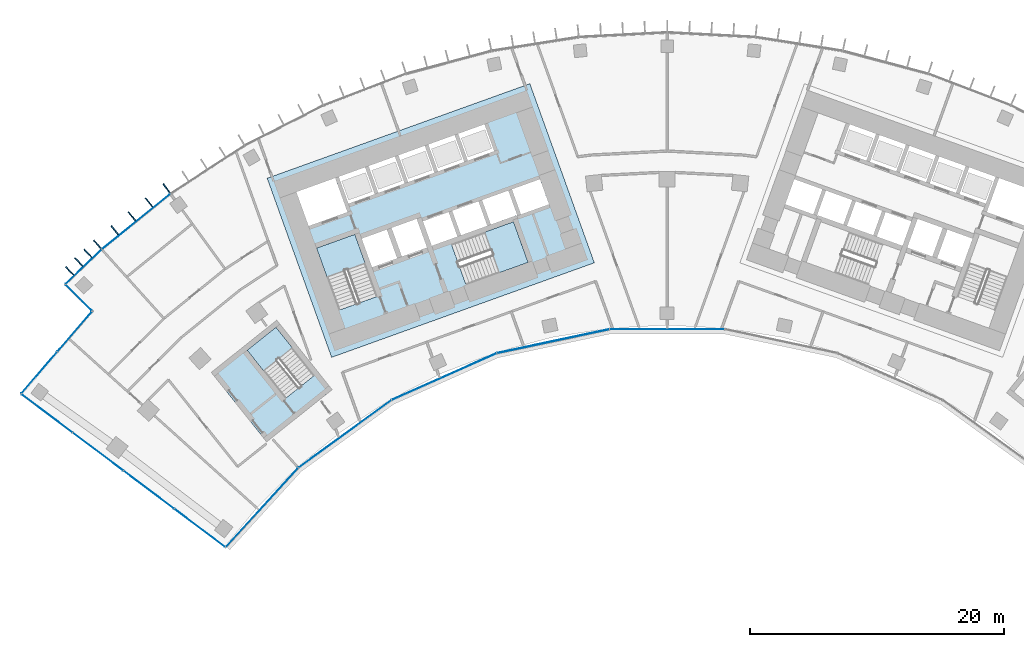
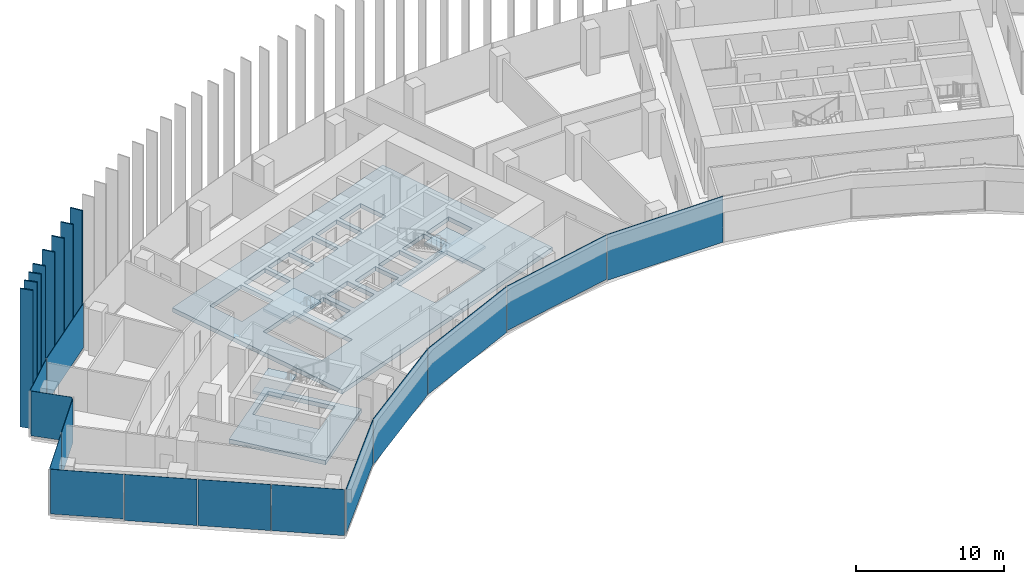
# One storey, part 12 of 23: 22 plates, 5 slabs, 8 elements without a shape of their own.
"""IFC4 building model written with IfcOpenShell, lengths in metres."""

from ifc_helpers import new_model, si_unit, direction, frame, origin, origin_2d, place, context, subcontext, project, spatial, polyline, rectangle, outline, extrude, material, layer, layer_set, type_object, element, aggregate, save


model = new_model("IFC4")

# Units and contexts
model_context = context("Model", 3, precision=1e-05, world=origin(), true_north=direction((0.0, 1.0)))
body_context = subcontext(model_context, "Body", "Model", "MODEL_VIEW")
ifc_project = project(units=[si_unit("LENGTHUNIT", "METRE"), si_unit("AREAUNIT", "SQUARE_METRE"), si_unit("VOLUMEUNIT", "CUBIC_METRE"), si_unit("PLANEANGLEUNIT", "RADIAN"), si_unit("MASSUNIT", "GRAM", prefix="KILO")], contexts=[model_context])

# Site, building, storey
site_placement = place(None, origin())
site = spatial("IfcSite", under=ifc_project, at=site_placement, CompositionType="ELEMENT")
building_placement = place(site_placement, origin())
building = spatial("IfcBuilding", under=site, at=building_placement, Name="Stone Belt Terrace Tower", CompositionType="ELEMENT")
storey_placement = place(building_placement, frame((0.0, 0.0, 144.0)))
storey = spatial("IfcBuildingStorey", under=building, at=storey_placement, Name="L34", CompositionType="ELEMENT", Elevation=144.0)

# Curtain wall, plates
ifc_material_1 = material(Name="Aluminium 6063-T6 anodised frame", Category="aluminium")
ifc_layer_1 = layer(ifc_material_1, 0.14990234375)
ifc_layer_set_1 = layer_set([ifc_layer_1], Name="CW-A unitised convex-face curtain wall")
curtain_wall_type_1 = type_object("IfcCurtainWallType", Name="CW-A unitised convex-face curtain wall", PredefinedType="NOTDEFINED", material=ifc_layer_set_1)
curtain_wall_1_placement = place(storey_placement, origin())
curtain_wall_1 = element("IfcCurtainWall", 1, at=curtain_wall_1_placement, inside=storey, type_object=curtain_wall_type_1, Name="CW-A convex face L34", PredefinedType="NOTDEFINED")
ifc_material_2 = material(Name="Clear double glazed unit")
ifc_layer_2 = layer(ifc_material_2, 0.031982421875)
ifc_layer_set_2 = layer_set([ifc_layer_2], Name="CW-A glass panel 32")
plate_type_1 = type_object("IfcPlateType", Name="CW-A glass panel 32", PredefinedType="CURTAIN_PANEL", material=ifc_layer_set_2)
plate_1_placement = place(storey_placement, frame((-41.839599609375, 51.667724609375, 0.14013671875), z_axis=(0.0, 0.0, 1.0), x_axis=(-0.777145961457, -0.62932039105, 0.0)))
plate_1 = element("IfcPlate", 2, at=plate_1_placement, type_object=plate_type_1, Name="CW-A panel 15.1", PredefinedType="CURTAIN_PANEL", context=body_context, shape_type="SweptSolid", body=[
    extrude(rectangle(XDim=6.900634765625, YDim=0.031982421875, at=origin_2d()), origin(), (0.0, 0.0, 1.0), 3.659912109375),
])
plate_2_placement = place(storey_placement, frame((-45.9765625, 48.109619140625, 0.14013671875), z_axis=(0.0, 0.0, 1.0), x_axis=(-0.723120883539, -0.690721497993, 0.0)))
plate_2 = element("IfcPlate", 3, at=plate_2_placement, type_object=plate_type_1, Name="CW-A panel 16.1", PredefinedType="CURTAIN_PANEL", context=body_context, shape_type="SweptSolid", body=[
    extrude(rectangle(XDim=3.888671875, YDim=0.031982421875, at=origin_2d()), origin(), (0.0, 0.0, 1.0), 3.659912109375),
])
aggregate(curtain_wall_1, [plate_1, plate_2])

ifc_layer_3 = layer(ifc_material_1, 0.14990234375)
ifc_layer_set_3 = layer_set([ifc_layer_3], Name="CW-B unitised concave-face curtain wall")
curtain_wall_type_2 = type_object("IfcCurtainWallType", Name="CW-B unitised concave-face curtain wall", PredefinedType="NOTDEFINED", material=ifc_layer_set_3)
curtain_wall_2_placement = place(storey_placement, origin())
curtain_wall_2 = element("IfcCurtainWall", 4, at=curtain_wall_2_placement, inside=storey, type_object=curtain_wall_type_2, Name="CW-B concave face L34", PredefinedType="NOTDEFINED")
ifc_layer_4 = layer(ifc_material_2, 0.030029296875)
ifc_layer_set_4 = layer_set([ifc_layer_4], Name="CW-B glass panel 30")
plate_type_2 = type_object("IfcPlateType", Name="CW-B glass panel 30", PredefinedType="CURTAIN_PANEL", material=ifc_layer_set_4)
plate_3_placement = place(storey_placement, frame((-31.9111328125, 29.148681640625, 0.1201171875), z_axis=(0.0, 0.0, 1.0), x_axis=(0.674760998748, 0.73803630979, 0.0)))
plate_3 = element("IfcPlate", 5, at=plate_3_placement, type_object=plate_type_2, Name="CW-B panel 1.1", PredefinedType="CURTAIN_PANEL", context=body_context, shape_type="SweptSolid", body=[
    extrude(rectangle(XDim=8.39501953125, YDim=0.030029296875, at=origin_2d()), origin(), (0.0, 0.0, 1.0), 3.679931640625),
])
plate_4_placement = place(storey_placement, frame((-25.384765625, 34.938720703125, 0.0), z_axis=(0.0, 0.0, 1.0), x_axis=(0.809016994375, 0.587785252292, 0.0)))
plate_4 = element("IfcPlate", 6, at=plate_4_placement, type_object=plate_type_2, Name="CW-B panel 2.1", PredefinedType="CURTAIN_PANEL", context=body_context, shape_type="SweptSolid", body=[
    extrude(rectangle(XDim=9.013427734375, YDim=0.030029296875, at=origin_2d()), origin(), (0.0, 0.0, 1.0), 3.800048828125),
])
plate_5_placement = place(storey_placement, frame((-17.565673828125, 39.453125, 0.0), z_axis=(0.0, 0.0, 1.0), x_axis=(0.913545457643, 0.406736643076, 0.0)))
plate_5 = element("IfcPlate", 7, at=plate_5_placement, type_object=plate_type_2, Name="CW-B panel 3.1", PredefinedType="CURTAIN_PANEL", context=body_context, shape_type="SweptSolid", body=[
    extrude(rectangle(XDim=9.0126953125, YDim=0.030029296875, at=origin_2d()), origin(), (0.0, 0.0, 1.0), 3.800048828125),
])
plate_6_placement = place(storey_placement, frame((-8.97900390625, 42.242919921875, 0.1201171875), z_axis=(0.0, 0.0, 1.0), x_axis=(0.978147600734, 0.207911690818, 0.0)))
plate_6 = element("IfcPlate", 8, at=plate_6_placement, type_object=plate_type_2, Name="CW-B panel 4.1", PredefinedType="CURTAIN_PANEL", context=body_context, shape_type="SweptSolid", body=[
    extrude(rectangle(XDim=9.0126953125, YDim=0.030029296875, at=origin_2d()), origin(), (0.0, 0.0, 1.0), 3.679931640625),
])
plate_7_placement = place(storey_placement, frame((0.0, 43.186767578125, 0.0), z_axis=(0.0, 0.0, 1.0), x_axis=(1.0, 0.0, 0.0)))
plate_7 = element("IfcPlate", 9, at=plate_7_placement, type_object=plate_type_2, Name="CW-B panel 5.1", PredefinedType="CURTAIN_PANEL", context=body_context, shape_type="SweptSolid", body=[
    extrude(rectangle(XDim=9.0126953125, YDim=0.030029296875, at=origin_2d()), origin(), (0.0, 0.0, 1.0), 3.800048828125),
])
aggregate(curtain_wall_2, [plate_3, plate_4, plate_5, plate_6, plate_7])

# Curtain wall, plate
ifc_layer_5 = layer(ifc_material_1, 0.14990234375)
ifc_layer_set_5 = layer_set([ifc_layer_5], Name="CW-C stick curtain wall, horn ends and notches")
curtain_wall_type_3 = type_object("IfcCurtainWallType", Name="CW-C stick curtain wall, horn ends and notches", PredefinedType="NOTDEFINED", material=ifc_layer_set_5)
curtain_wall_3_placement = place(storey_placement, origin())
curtain_wall_3 = element("IfcCurtainWall", 10, at=curtain_wall_3_placement, inside=storey, type_object=curtain_wall_type_3, Name="CW-C notch face L34", PredefinedType="NOTDEFINED")
ifc_layer_6 = layer(ifc_material_2, 0.028076171875)
ifc_layer_set_6 = layer_set([ifc_layer_6], Name="CW-C glass panel 28")
plate_type_3 = type_object("IfcPlateType", Name="CW-C glass panel 28", PredefinedType="CURTAIN_PANEL", material=ifc_layer_set_6)
plate_8_placement = place(storey_placement, frame((-46.365966796875, 45.658447265625, 0.1201171875), z_axis=(0.0, 0.0, 1.0), x_axis=(0.711713447851, -0.702469905511, 0.0)))
plate_8 = element("IfcPlate", 11, at=plate_8_placement, type_object=plate_type_3, Name="CW-C panel 1.1", PredefinedType="CURTAIN_PANEL", context=body_context, shape_type="SweptSolid", body=[
    extrude(rectangle(XDim=2.859375, YDim=0.028076171875, at=origin_2d()), origin(), (0.0, 0.0, 1.0), 3.679931640625),
])
aggregate(curtain_wall_3, [plate_8])

# Curtain wall, plates
curtain_wall_4_placement = place(storey_placement, origin())
curtain_wall_4 = element("IfcCurtainWall", 12, at=curtain_wall_4_placement, inside=storey, type_object=curtain_wall_type_3, Name="CW-C notch face L34", PredefinedType="NOTDEFINED")
plate_9_placement = place(storey_placement, frame((-46.68896484375, 42.986572265625, 0.1201171875), z_axis=(0.0, 0.0, 1.0), x_axis=(-0.652737860281, -0.757583847343, 0.0)))
plate_9 = element("IfcPlate", 13, at=plate_9_placement, type_object=plate_type_3, Name="CW-C panel 1.1", PredefinedType="CURTAIN_PANEL", context=body_context, shape_type="SweptSolid", body=[
    extrude(rectangle(XDim=4.12060546875, YDim=0.028076171875, at=origin_2d()), origin(), (0.0, 0.0, 1.0), 3.679931640625),
])
plate_10_placement = place(storey_placement, frame((-49.466064453125, 39.76318359375, 0.0), z_axis=(0.0, 0.0, 1.0), x_axis=(-0.652737860281, -0.757583847343, 0.0)))
plate_10 = element("IfcPlate", 14, at=plate_10_placement, type_object=plate_type_3, Name="CW-C panel 2.1", PredefinedType="CURTAIN_PANEL", context=body_context, shape_type="SweptSolid", body=[
    extrude(rectangle(XDim=4.268798828125, YDim=0.028076171875, at=origin_2d()), origin(), (0.0, 0.0, 1.0), 3.800048828125),
])
aggregate(curtain_wall_4, [plate_9, plate_10])

curtain_wall_5_placement = place(storey_placement, origin())
curtain_wall_5 = element("IfcCurtainWall", 15, at=curtain_wall_5_placement, inside=storey, type_object=curtain_wall_type_3, Name="CW-C end face L34", PredefinedType="NOTDEFINED")
plate_11_placement = place(storey_placement, frame((-48.858154296875, 36.551513671875, 0.1201171875), z_axis=(0.0, 0.0, 1.0), x_axis=(0.799986505357, -0.600017992436, 0.0)))
plate_11 = element("IfcPlate", 16, at=plate_11_placement, type_object=plate_type_3, Name="CW-C panel 1.1", PredefinedType="CURTAIN_PANEL", context=body_context, shape_type="SweptSolid", body=[
    extrude(rectangle(XDim=4.974853515625, YDim=0.028076171875, at=origin_2d()), origin(), (0.0, 0.0, 1.0), 3.679931640625),
])
plate_12_placement = place(storey_placement, frame((-44.84423828125, 33.541015625, 0.0), z_axis=(0.0, 0.0, 1.0), x_axis=(0.799986505357, -0.600017992436, 0.0)))
plate_12 = element("IfcPlate", 17, at=plate_12_placement, type_object=plate_type_3, Name="CW-C panel 2.1", PredefinedType="CURTAIN_PANEL", context=body_context, shape_type="SweptSolid", body=[
    extrude(rectangle(XDim=4.93994140625, YDim=0.028076171875, at=origin_2d()), origin(), (0.0, 0.0, 1.0), 3.800048828125),
])
plate_13_placement = place(storey_placement, frame((-40.84423828125, 30.541015625, 0.0), z_axis=(0.0, 0.0, 1.0), x_axis=(0.799986505357, -0.600017992436, 0.0)))
plate_13 = element("IfcPlate", 18, at=plate_13_placement, type_object=plate_type_3, Name="CW-C panel 3.1", PredefinedType="CURTAIN_PANEL", context=body_context, shape_type="SweptSolid", body=[
    extrude(rectangle(XDim=4.93994140625, YDim=0.028076171875, at=origin_2d()), origin(), (0.0, 0.0, 1.0), 3.800048828125),
])
plate_14_placement = place(storey_placement, frame((-36.834228515625, 27.533203125, 0.0), z_axis=(0.0, 0.0, 1.0), x_axis=(0.799986505357, -0.600017992436, 0.0)))
plate_14 = element("IfcPlate", 19, at=plate_14_placement, type_object=plate_type_3, Name="CW-C panel 4.1", PredefinedType="CURTAIN_PANEL", context=body_context, shape_type="SweptSolid", body=[
    extrude(rectangle(XDim=4.96533203125, YDim=0.028076171875, at=origin_2d()), origin(), (0.0, 0.0, 1.0), 3.800048828125),
])
aggregate(curtain_wall_5, [plate_11, plate_12, plate_13, plate_14])

# Slabs
ifc_material_3 = material(Name="Concrete B40", Category="concrete")
ifc_layer_7 = layer(ifc_material_3, 0.35009765625)
ifc_layer_set_7 = layer_set([ifc_layer_7], Name="Core floor slab 350")
slab_type_1 = type_object("IfcSlabType", Name="Core floor slab 350", PredefinedType="FLOOR", material=ifc_layer_set_7)
slab_1_placement = place(storey_placement, frame((0.0, 0.0, -0.35009765625)))
element("IfcSlab", 20, at=slab_1_placement, inside=storey, type_object=slab_type_1, Name="Core A floor L34", PredefinedType="FLOOR", context=body_context, shape_type="SweptSolid", body=[
    extrude(outline(polyline([(-26.43505859375, 40.968994140625), (-5.735107421875, 48.4189453125), (-10.81396484375, 62.531982421875), (-31.513916015625, 55.0830078125), (-26.43505859375, 40.968994140625)]), holes=[polyline([(-24.60791015625, 50.659912109375), (-22.847900390625, 45.76806640625), (-25.85888671875, 44.68408203125), (-27.618896484375, 49.575927734375), (-24.60791015625, 50.659912109375)]), polyline([(-23.25, 48.06689453125), (-24.06298828125, 50.324951171875), (-22.0869140625, 51.035888671875), (-21.27392578125, 48.778076171875), (-23.25, 48.06689453125)]), polyline([(-20.89794921875, 48.9130859375), (-21.7109375, 51.1708984375), (-19.735107421875, 51.883056640625), (-18.922119140625, 49.6240234375), (-20.89794921875, 48.9130859375)]), polyline([(-29.2109375, 53.9990234375), (-26.153076171875, 55.09912109375), (-25.18798828125, 52.41796875), (-28.24609375, 51.31689453125), (-29.2109375, 53.9990234375)]), polyline([(-23.801025390625, 55.946044921875), (-23.0390625, 53.8291015625), (-25.10888671875, 53.083984375), (-25.87109375, 55.200927734375), (-23.801025390625, 55.946044921875)]), polyline([(-21.447998046875, 56.7919921875), (-20.68603515625, 54.675048828125), (-22.756103515625, 53.929931640625), (-23.51806640625, 56.047119140625), (-21.447998046875, 56.7919921875)]), polyline([(-19.095947265625, 57.638916015625), (-18.333984375, 55.52197265625), (-20.404052734375, 54.777099609375), (-21.166015625, 56.89404296875), (-19.095947265625, 57.638916015625)]), polyline([(-10.955078125, 48.452880859375), (-15.846923828125, 46.69189453125), (-16.998046875, 49.89208984375), (-12.10595703125, 51.652099609375), (-10.955078125, 48.452880859375)]), polyline([(-19.239990234375, 51.68896484375), (-17.217041015625, 52.4169921875), (-16.52294921875, 50.488037109375), (-18.5458984375, 49.760009765625), (-19.239990234375, 51.68896484375)]), polyline([(-16.239990234375, 50.589111328125), (-16.93408203125, 52.51806640625), (-14.864013671875, 53.262939453125), (-14.169921875, 51.333984375), (-16.239990234375, 50.589111328125)]), polyline([(-11.847900390625, 52.116943359375), (-11.864990234375, 52.1640625), (-13.887939453125, 51.43603515625), (-14.58203125, 53.364990234375), (-12.511962890625, 54.110107421875), (-11.801025390625, 52.134033203125), (-11.847900390625, 52.116943359375)]), polyline([(-9.30810546875, 53.031005859375), (-11.51904296875, 52.235107421875), (-12.22998046875, 54.2109375), (-10.01904296875, 55.007080078125), (-9.30810546875, 53.031005859375)]), polyline([(-16.743896484375, 58.485107421875), (-15.98193359375, 56.367919921875), (-18.052001953125, 55.623046875), (-18.81396484375, 57.739990234375), (-16.743896484375, 58.485107421875)]), polyline([(-14.39111328125, 59.33203125), (-13.6298828125, 57.215087890625), (-15.699951171875, 56.469970703125), (-16.4609375, 58.5869140625), (-14.39111328125, 59.33203125)])]), origin(), (0.0, 0.0, 1.0), 0.35009765625),
])
slab_2_placement = place(storey_placement, frame((0.0, 0.0, -0.35009765625)))
element("IfcSlab", 21, at=slab_2_placement, inside=storey, type_object=slab_type_1, Name="Exit stair ST3A floor L34", PredefinedType="FLOOR", context=body_context, shape_type="SweptSolid", body=[
    extrude(outline(polyline([(-26.39404296875, 38.425048828125), (-30.756103515625, 43.89990234375), (-35.91796875, 39.787109375), (-31.555908203125, 34.31298828125), (-26.39404296875, 38.425048828125)]), holes=[polyline([(-27.798095703125, 39.544921875), (-30.06591796875, 37.738037109375), (-33.087890625, 41.531005859375), (-30.820068359375, 43.337890625), (-27.798095703125, 39.544921875)])]), origin(), (0.0, 0.0, 1.0), 0.35009765625),
])

# Stair, slab
stair_type = type_object("IfcStairType", Name="Exit stair 1500", PredefinedType="HALF_TURN_STAIR", material=ifc_material_3)
stair_1_placement = place(storey_placement, origin())
stair_1 = element("IfcStair", 22, at=stair_1_placement, inside=storey, type_object=stair_type, Name="L34 Exit stair 1 core A", PredefinedType="HALF_TURN_STAIR")
ifc_layer_8 = layer(ifc_material_3, 0.199951171875)
ifc_layer_set_8 = layer_set([ifc_layer_8], Name="Stair landing 200")
slab_type_2 = type_object("IfcSlabType", Name="Stair landing 200", PredefinedType="LANDING", material=ifc_layer_set_8)
slab_3_placement = place(storey_placement, frame((0.0, 0.0, 1.699951171875)))
slab_3 = element("IfcSlab", 23, at=slab_3_placement, type_object=slab_type_2, Name="ST1A landing 1", PredefinedType="LANDING", context=body_context, shape_type="SweptSolid", body=[
    extrude(outline(polyline([(-23.79541015625, 48.40087890625), (-24.6083984375, 50.659912109375), (-27.619384765625, 49.576171875), (-26.806396484375, 47.3173828125), (-23.79541015625, 48.40087890625)])), origin(), (0.0, 0.0, 1.0), 0.199951171875),
])
aggregate(stair_1, [slab_3])

stair_2_placement = place(storey_placement, origin())
stair_2 = element("IfcStair", 24, at=stair_2_placement, inside=storey, type_object=stair_type, Name="L34 Exit stair 2 core A", PredefinedType="HALF_TURN_STAIR")
slab_4_placement = place(storey_placement, frame((0.0, 0.0, 1.699951171875)))
slab_4 = element("IfcSlab", 25, at=slab_4_placement, type_object=slab_type_2, Name="ST2A landing 1", PredefinedType="LANDING", context=body_context, shape_type="SweptSolid", body=[
    extrude(outline(polyline([(-13.213623046875, 47.64013671875), (-10.95458984375, 48.453125), (-12.10595703125, 51.652099609375), (-14.36474609375, 50.839111328125), (-13.213623046875, 47.64013671875)])), origin(), (0.0, 0.0, 1.0), 0.199951171875),
])
aggregate(stair_2, [slab_4])

stair_3_placement = place(storey_placement, origin())
stair_3 = element("IfcStair", 26, at=stair_3_placement, inside=storey, type_object=stair_type, Name="L34 Exit stair 3A", PredefinedType="HALF_TURN_STAIR")
slab_5_placement = place(storey_placement, frame((0.0, 0.0, 1.699951171875)))
slab_5 = element("IfcSlab", 27, at=slab_5_placement, type_object=slab_type_2, Name="ST3A landing 1", PredefinedType="LANDING", context=body_context, shape_type="SweptSolid", body=[
    extrude(outline(polyline([(-29.541748046875, 41.73388671875), (-30.819580078125, 43.337890625), (-33.087646484375, 41.53076171875), (-31.809814453125, 39.9267578125), (-29.541748046875, 41.73388671875)])), origin(), (0.0, 0.0, 1.0), 0.199951171875),
])
aggregate(stair_3, [slab_5])

# Plates
ifc_material_4 = material(Name="Terracotta coloured glazed ceramic", Category="masonry")
ifc_layer_9 = layer(ifc_material_4, 0.10009765625)
ifc_layer_set_9 = layer_set([ifc_layer_9], Name="Terracotta fin 100 x 900")
plate_type_4 = type_object("IfcPlateType", Name="Terracotta fin 100 x 900", PredefinedType="SHEET", material=ifc_layer_set_9)
for number, where, z_axis, x_axis, name in (
    (28, (-39.4404296875, 54.28515625, 0.0), (0.0, 0.0, 1.0), (-0.587785252292, 0.809016994375, 0.0), "FIN L34 15.1"),
    (29, (-40.81591796875, 53.172119140625, 0.0), (0.0, 0.0, 1.0), (-0.62932039105, 0.777145961457, 0.0), "FIN L34 15.2"),
    (30, (-42.169677734375, 52.075927734375, 0.0), (0.0, 0.0, 1.0), (-0.62932039105, 0.777145961457, 0.0), "FIN L34 15.3"),
    (31, (-43.5234375, 50.979736328125, 0.0), (0.0, 0.0, 1.0), (-0.62932039105, 0.777145961457, 0.0), "FIN L34 15.4"),
    (32, (-44.8935546875, 49.86962890625, 0.0), (0.0, 0.0, 1.0), (-0.660573481499, 0.75076139721, 0.0), "FIN L34 16.1"),
    (33, (-45.6318359375, 49.1650390625, 0.0), (0.0, 0.0, 1.0), (-0.690721497993, 0.723120883539, 0.0), "FIN L34 16.2"),
    (34, (-46.354248046875, 48.474853515625, 0.0), (0.0, 0.0, 1.0), (-0.690721497993, 0.723120883539, 0.0), "FIN L34 16.3"),
    (35, (-47.07666015625, 47.784912109375, 0.0), (0.0, 0.0, 1.0), (-0.690721497993, 0.723120883539, 0.0), "FIN L34 16.4"),
):
    element("IfcPlate", number, at=place(storey_placement, frame(where, z_axis=z_axis, x_axis=x_axis)), inside=storey, type_object=plate_type_4, Name=name, PredefinedType="SHEET", context=body_context, shape_type="SweptSolid", body=[
        extrude(rectangle(XDim=0.89990234375, YDim=0.10009765625, at=origin_2d()), origin(), (0.0, 0.0, 1.0), 11.39990234375),
    ])

save(model, "model.ifc")
